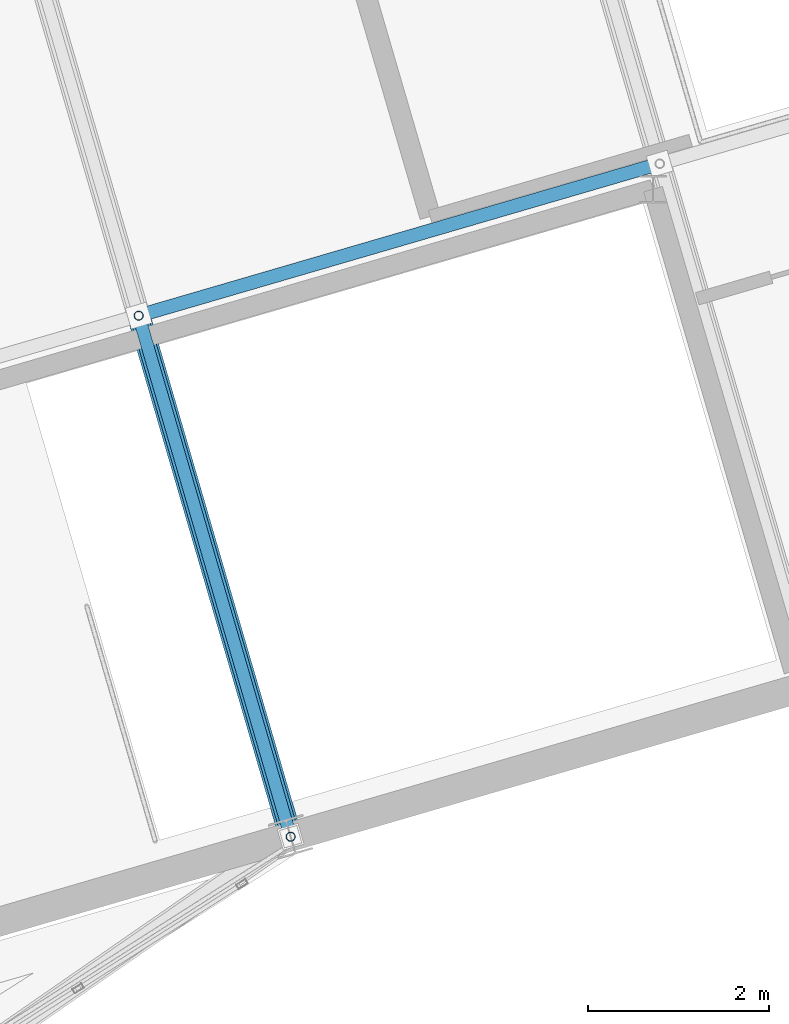
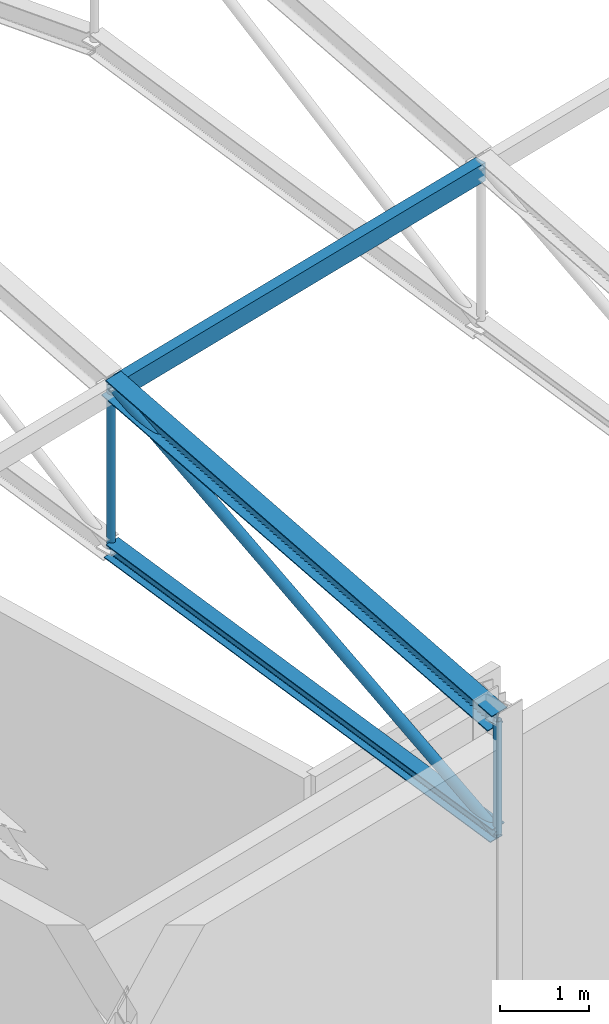
# One storey, part 137 of 248: 6 members.
"""IFC4 building model written with IfcOpenShell, lengths in metres."""

from ifc_helpers import new_model, si_unit, direction, frame, origin, origin_2d, place, context, subcontext, project, spatial, hollow_rectangle, hollow_circle, i_section, extrude, material, material_profile, profile_set, type_object, element, save


model = new_model("IFC4")

# Units and contexts
model_context = context("Model", 3, precision=1e-05, world=origin(), true_north=direction((0.0, 1.0)))
body_context = subcontext(model_context, "Body", "Model", "MODEL_VIEW")
ifc_project = project(units=[si_unit("LENGTHUNIT", "METRE"), si_unit("AREAUNIT", "SQUARE_METRE"), si_unit("VOLUMEUNIT", "CUBIC_METRE"), si_unit("PLANEANGLEUNIT", "RADIAN"), si_unit("MASSUNIT", "GRAM", prefix="KILO")], contexts=[model_context])

# Site, building, storey
site_placement = place(None, origin())
site = spatial("IfcSite", under=ifc_project, at=site_placement, CompositionType="ELEMENT")
building_placement = place(site_placement, origin())
building = spatial("IfcBuilding", under=site, at=building_placement, Name="Canggui Botanical Conservatory", CompositionType="ELEMENT")
storey_placement = place(building_placement, frame((0.0, 0.0, 5.39990234375)))
storey = spatial("IfcBuildingStorey", under=building, at=storey_placement, Name="L02", CompositionType="ELEMENT", Elevation=5.39990234375)

# Members
ifc_material = material(Name="Steel Q355B", Category="steel")
ifc_material_profile_1 = material_profile(ifc_material, hollow_rectangle(XDim=0.14990234375, YDim=0.25, WallThickness=0.008056640625, at=origin_2d()), Name="RHS 150x250x8")
ifc_profile_set_1 = profile_set([ifc_material_profile_1], Name="Steel Q355B")
member_type_1 = type_object("IfcMemberType", Name="MEM-PUR01", PredefinedType="PURLIN", material=ifc_profile_set_1)
member_1_placement = place(storey_placement, frame((70.080078125, 97.43994140625, 11.550048828125), z_axis=(0.959992252312, 0.280026562133, 0.0), x_axis=(-0.280026562133, 0.959992252312, 0.0)))
element("IfcMember", 1, at=member_1_placement, inside=storey, type_object=member_type_1, Name="Auditorium Roof Purlin 2-1", PredefinedType="PURLIN", context=body_context, shape_type="SweptSolid", body=[
    extrude(hollow_rectangle(XDim=0.14990234375, YDim=0.25, WallThickness=0.008056640625, at=origin_2d()), origin(), (0.0, 0.0, 1.0), 6.0),
])
ifc_material_profile_2 = material_profile(ifc_material, i_section(OverallWidth=0.25, OverallDepth=0.25, WebThickness=0.009033203125, FlangeThickness=0.013916015625, FilletRadius=0.01611328125, at=origin_2d()), Name="HW 250x250x9x14")
ifc_profile_set_2 = profile_set([ifc_material_profile_2], Name="Steel Q355B")
member_type_2 = type_object("IfcMemberType", Name="MEM-TC01", PredefinedType="CHORD", material=ifc_profile_set_2)
member_2_placement = place(storey_placement, frame((71.760009765625, 91.679931640625, 9.9501953125), z_axis=(-0.269385502469, 0.923646586216, 0.272595735168), x_axis=(-0.960003190047, -0.279989062464, 0.0)))
element("IfcMember", 2, at=member_2_placement, inside=storey, type_object=member_type_2, Name="Auditorium Truss AT-02 Top Chord 1", PredefinedType="CHORD", context=body_context, shape_type="SweptSolid", body=[
    extrude(i_section(OverallWidth=0.25, OverallDepth=0.25, WebThickness=0.009033203125, FlangeThickness=0.013916015625, FilletRadius=0.01611328125, at=origin_2d()), origin(), (0.0, 0.0, 1.0), 6.236083984375),
])
ifc_material_profile_3 = material_profile(ifc_material, i_section(OverallWidth=0.199951171875, OverallDepth=0.199951171875, WebThickness=0.008056640625, FlangeThickness=0.011962890625, FilletRadius=0.012939453125, at=origin_2d()), Name="HW 200x200x8x12")
ifc_profile_set_3 = profile_set([ifc_material_profile_3], Name="Steel Q355B")
member_type_3 = type_object("IfcMemberType", Name="MEM-TC02", PredefinedType="CHORD", material=ifc_profile_set_3)
member_3_placement = place(storey_placement, frame((71.760009765625, 91.679931640625, 8.400146484375), z_axis=(-0.276179497805, 0.946941271868, 0.16439924764), x_axis=(-0.960003190047, -0.279989062464, 0.0)))
element("IfcMember", 3, at=member_3_placement, inside=storey, type_object=member_type_3, Name="Auditorium Truss AT-02 Bottom Chord 1", PredefinedType="CHORD", context=body_context, shape_type="SweptSolid", body=[
    extrude(i_section(OverallWidth=0.199951171875, OverallDepth=0.199951171875, WebThickness=0.008056640625, FlangeThickness=0.011962890625, FilletRadius=0.012939453125, at=origin_2d()), origin(), (0.0, 0.0, 1.0), 6.082763671875),
])
ifc_material_profile_4 = material_profile(ifc_material, hollow_circle(Radius=0.070068359375, WallThickness=0.006103515625, at=origin_2d()), Name="CHS 140x6")
ifc_profile_set_4 = profile_set([ifc_material_profile_4], Name="Steel Q355B")
member_type_4 = type_object("IfcMemberType", Name="MEM-TW01", PredefinedType="BRACE", material=ifc_profile_set_4)
member_4_placement = place(storey_placement, frame((71.760009765625, 91.679931640625, 8.400146484375), z_axis=(-0.246192042448, 0.844122781207, 0.476283747867), x_axis=(-0.960003190047, -0.279989062464, 0.0)))
element("IfcMember", 4, at=member_4_placement, inside=storey, type_object=member_type_4, Name="Auditorium Truss AT-02 Web Diagonal 1", PredefinedType="BRACE", context=body_context, shape_type="SweptSolid", body=[
    extrude(hollow_circle(Radius=0.070068359375, WallThickness=0.006103515625, at=origin_2d()), origin(), (0.0, 0.0, 1.0), 6.82373046875),
])
ifc_material_profile_5 = material_profile(ifc_material, hollow_circle(Radius=0.051025390625, WallThickness=0.0048828125, at=origin_2d()), Name="CHS 102x5")
ifc_profile_set_5 = profile_set([ifc_material_profile_5], Name="Steel Q355B")
member_type_5 = type_object("IfcMemberType", Name="MEM-TW04", PredefinedType="BRACE", material=ifc_profile_set_5)
member_5_placement = place(storey_placement, frame((71.760009765625, 91.679931640625, 8.400146484375), z_axis=(0.0, 0.0, 1.0), x_axis=(1.0, 0.0, 0.0)))
element("IfcMember", 5, at=member_5_placement, inside=storey, type_object=member_type_5, Name="Auditorium Truss AT-02 Vertical Post 1", PredefinedType="BRACE", context=body_context, shape_type="SweptSolid", body=[
    extrude(hollow_circle(Radius=0.051025390625, WallThickness=0.0048828125, at=origin_2d()), origin(), (0.0, 0.0, 1.0), 1.550048828125),
])
member_6_placement = place(storey_placement, frame((70.080078125, 97.43994140625, 9.400146484375), z_axis=(0.0, 0.0, 1.0), x_axis=(1.0, 0.0, 0.0)))
element("IfcMember", 6, at=member_6_placement, inside=storey, type_object=member_type_5, Name="Auditorium Truss AT-02 Vertical Post 2", PredefinedType="BRACE", context=body_context, shape_type="SweptSolid", body=[
    extrude(hollow_circle(Radius=0.051025390625, WallThickness=0.0048828125, at=origin_2d()), origin(), (0.0, 0.0, 1.0), 2.25),
])

save(model, "model.ifc")
